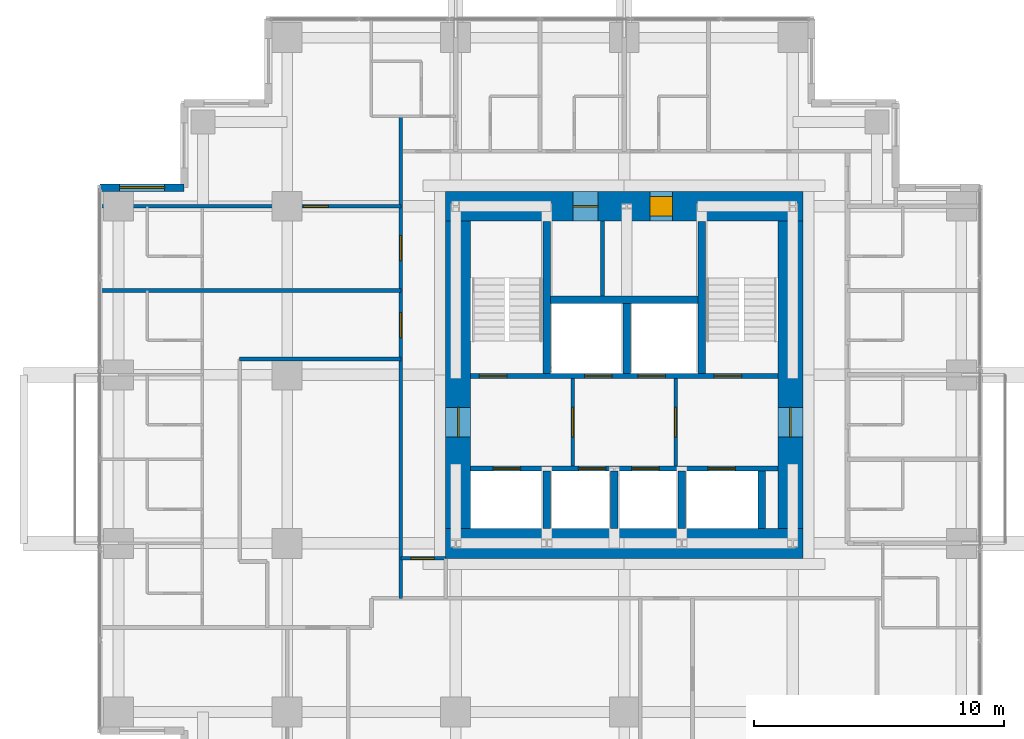
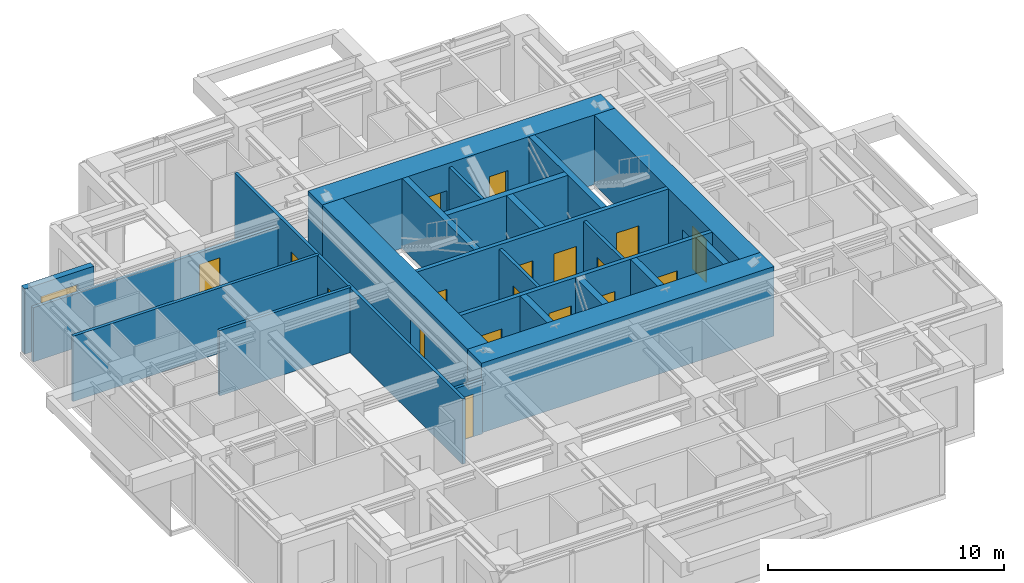
# One storey, part 7 of 10: 23 walls, 18 doors, 1 window, 19 openings.
"""IFC4 building model written with IfcOpenShell, lengths in metres."""

from ifc_helpers import new_model, si_unit, direction, frame, frame_2d, origin, place, context, subcontext, project, spatial, rectangle, extrude, material, layer, layer_set, type_object, element, fill, save


model = new_model("IFC4")

# Units and contexts
model_context = context("Model", 3, precision=1e-05, world=origin(), true_north=direction((0.0, 1.0)))
body_context = subcontext(model_context, "Body", "Model", "MODEL_VIEW")
ifc_project = project(units=[si_unit("LENGTHUNIT", "METRE"), si_unit("AREAUNIT", "SQUARE_METRE"), si_unit("VOLUMEUNIT", "CUBIC_METRE"), si_unit("PLANEANGLEUNIT", "RADIAN"), si_unit("MASSUNIT", "GRAM", prefix="KILO")], contexts=[model_context])

# Site, building, storey
site_placement = place(None, origin())
site = spatial("IfcSite", under=ifc_project, at=site_placement, CompositionType="ELEMENT")
building_placement = place(site_placement, origin())
building = spatial("IfcBuilding", under=site, at=building_placement, Name="Nyansa Garden Tower", CompositionType="ELEMENT")
storey_placement = place(building_placement, frame((0.0, 0.0, 181.800048828125)))
storey = spatial("IfcBuildingStorey", under=building, at=storey_placement, Name="L49", CompositionType="ELEMENT", Elevation=181.800048828125)

# Wall, openings, doors
ifc_material_1 = material(Name="Concrete C70/85", Category="concrete")
ifc_layer_1 = layer(ifc_material_1, 0.199951171875)
ifc_layer_set_1 = layer_set([ifc_layer_1], Name="Core inner wall CI200")
wall_type_1 = type_object("IfcWallType", Name="Core inner wall CI200", PredefinedType="SHEAR", material=ifc_layer_set_1)
wall_1_placement = place(storey_placement, frame((14.10009765625, 16.5, 0.0), z_axis=(0.0, 0.0, 1.0), x_axis=(1.0, 0.0, 0.0)))
wall_1 = element("IfcWall", 1, at=wall_1_placement, inside=storey, type_object=wall_type_1, Name="Core inner wall L49", PredefinedType="SHEAR", context=body_context, shape_type="SweptSolid", body=[
    extrude(rectangle(XDim=12.2998046875, YDim=0.199951171875, at=frame_2d((6.14990234375, 0.0))), origin(), (0.0, 0.0, 1.0), 3.599853515625),
])
opening_1_placement = place(wall_1_placement, frame((0.89990234375, 0.0, 0.0)))
opening_1 = element("IfcOpeningElement", 2, at=opening_1_placement, cuts=wall_1, Name="Opening LD-F", PredefinedType="OPENING", context=body_context, shape_type="SweptSolid", body=[
    extrude(rectangle(XDim=1.10009765625, YDim=2.199951171875, at=frame_2d((0.550048828125, 1.10009765625))), frame((0.0, 0.10986328125, 0.0), z_axis=(0.0, -1.0, 0.0), x_axis=(1.0, 0.0, 0.0)), (0.0, 0.0, 1.0), 0.219970703125),
])
opening_2_placement = place(wall_1_placement, frame((4.31005859375, 0.0, 0.0)))
opening_2 = element("IfcOpeningElement", 3, at=opening_2_placement, cuts=wall_1, Name="Opening LD-B", PredefinedType="OPENING", context=body_context, shape_type="SweptSolid", body=[
    extrude(rectangle(XDim=1.10009765625, YDim=2.199951171875, at=frame_2d((0.550048828125, 1.10009765625))), frame((0.0, 0.10986328125, 0.0), z_axis=(0.0, -1.0, 0.0), x_axis=(1.0, 0.0, 0.0)), (0.0, 0.0, 1.0), 0.219970703125),
])
opening_3_placement = place(wall_1_placement, frame((6.449951171875, 0.0, 0.0)))
opening_3 = element("IfcOpeningElement", 4, at=opening_3_placement, cuts=wall_1, Name="Opening LD-B", PredefinedType="OPENING", context=body_context, shape_type="SweptSolid", body=[
    extrude(rectangle(XDim=1.10009765625, YDim=2.199951171875, at=frame_2d((0.550048828125, 1.10009765625))), frame((0.0, 0.10986328125, 0.0), z_axis=(0.0, -1.0, 0.0), x_axis=(1.0, 0.0, 0.0)), (0.0, 0.0, 1.0), 0.219970703125),
])
opening_4_placement = place(wall_1_placement, frame((9.5, 0.0, 0.0)))
opening_4 = element("IfcOpeningElement", 5, at=opening_4_placement, cuts=wall_1, Name="Opening LD-F", PredefinedType="OPENING", context=body_context, shape_type="SweptSolid", body=[
    extrude(rectangle(XDim=1.10009765625, YDim=2.199951171875, at=frame_2d((0.550048828125, 1.10009765625))), frame((0.0, 0.10986328125, 0.0), z_axis=(0.0, -1.0, 0.0), x_axis=(1.0, 0.0, 0.0)), (0.0, 0.0, 1.0), 0.219970703125),
])
ifc_material_2 = material(Name="Stainless steel centre-opening landing door of the high-rise lift, E 120", Category="steel")
door_type_1 = type_object("IfcDoorType", Name="Lift landing door LD-B 1100x2200", OperationType="DOUBLE_DOOR_SLIDING", PredefinedType="DOOR", material=ifc_material_2)
door_1_placement = place(opening_2_placement, origin())
door_1 = element("IfcDoor", 6, at=door_1_placement, inside=storey, type_object=door_type_1, Name="Landing door B1", OperationType="DOUBLE_DOOR_SLIDING", OverallHeight=2.199951171875, OverallWidth=1.10009765625, PredefinedType="DOOR", context=body_context, shape_type="SweptSolid", body=[
    extrude(rectangle(XDim=1.10009765625, YDim=2.199951171875, at=frame_2d((0.550048828125, 1.10009765625))), frame((0.0, 0.02490234375, 0.0), z_axis=(0.0, -1.0, 0.0), x_axis=(1.0, 0.0, 0.0)), (0.0, 0.0, 1.0), 0.050048828125),
])
fill(opening_2, door_1)
door_2_placement = place(opening_3_placement, origin())
door_2 = element("IfcDoor", 7, at=door_2_placement, inside=storey, type_object=door_type_1, Name="Landing door B2", OperationType="DOUBLE_DOOR_SLIDING", OverallHeight=2.199951171875, OverallWidth=1.10009765625, PredefinedType="DOOR", context=body_context, shape_type="SweptSolid", body=[
    extrude(rectangle(XDim=1.10009765625, YDim=2.199951171875, at=frame_2d((0.550048828125, 1.10009765625))), frame((0.0, 0.02490234375, 0.0), z_axis=(0.0, -1.0, 0.0), x_axis=(1.0, 0.0, 0.0)), (0.0, 0.0, 1.0), 0.050048828125),
])
fill(opening_3, door_2)
ifc_material_3 = material(Name="Stainless steel centre-opening landing door of the firefighting lift, EN 81-72, E 120", Category="steel")
door_type_2 = type_object("IfcDoorType", Name="Lift landing door LD-F 1100x2200", OperationType="DOUBLE_DOOR_SLIDING", PredefinedType="DOOR", material=ifc_material_3)
door_3_placement = place(opening_1_placement, origin())
door_3 = element("IfcDoor", 8, at=door_3_placement, inside=storey, type_object=door_type_2, Name="Landing door FF1", OperationType="DOUBLE_DOOR_SLIDING", OverallHeight=2.199951171875, OverallWidth=1.10009765625, PredefinedType="DOOR", context=body_context, shape_type="SweptSolid", body=[
    extrude(rectangle(XDim=1.10009765625, YDim=2.199951171875, at=frame_2d((0.550048828125, 1.10009765625))), frame((0.0, 0.02490234375, 0.0), z_axis=(0.0, -1.0, 0.0), x_axis=(1.0, 0.0, 0.0)), (0.0, 0.0, 1.0), 0.050048828125),
])
fill(opening_1, door_3)
door_4_placement = place(opening_4_placement, origin())
door_4 = element("IfcDoor", 9, at=door_4_placement, inside=storey, type_object=door_type_2, Name="Landing door FF2", OperationType="DOUBLE_DOOR_SLIDING", OverallHeight=2.199951171875, OverallWidth=1.10009765625, PredefinedType="DOOR", context=body_context, shape_type="SweptSolid", body=[
    extrude(rectangle(XDim=1.10009765625, YDim=2.199951171875, at=frame_2d((0.550048828125, 1.10009765625))), frame((0.0, 0.02490234375, 0.0), z_axis=(0.0, -1.0, 0.0), x_axis=(1.0, 0.0, 0.0)), (0.0, 0.0, 1.0), 0.050048828125),
])
fill(opening_4, door_4)

wall_2_placement = place(storey_placement, frame((14.10009765625, 20.199951171875, 0.0), z_axis=(0.0, 0.0, 1.0), x_axis=(1.0, 0.0, 0.0)))
wall_2 = element("IfcWall", 10, at=wall_2_placement, inside=storey, type_object=wall_type_1, Name="Core inner wall L49", PredefinedType="SHEAR", context=body_context, shape_type="SweptSolid", body=[
    extrude(rectangle(XDim=12.2998046875, YDim=0.199951171875, at=frame_2d((6.14990234375, 0.0))), origin(), (0.0, 0.0, 1.0), 3.599853515625),
])
opening_5_placement = place(wall_2_placement, frame((4.56005859375, 0.0, 0.0)))
opening_5 = element("IfcOpeningElement", 11, at=opening_5_placement, cuts=wall_2, Name="Opening LD-B", PredefinedType="OPENING", context=body_context, shape_type="SweptSolid", body=[
    extrude(rectangle(XDim=1.10009765625, YDim=2.199951171875, at=frame_2d((0.550048828125, 1.10009765625))), frame((0.0, 0.10986328125, 0.0), z_axis=(0.0, -1.0, 0.0), x_axis=(1.0, 0.0, 0.0)), (0.0, 0.0, 1.0), 0.219970703125),
])
opening_6_placement = place(wall_2_placement, frame((6.699951171875, 0.0, 0.0)))
opening_6 = element("IfcOpeningElement", 12, at=opening_6_placement, cuts=wall_2, Name="Opening LD-B", PredefinedType="OPENING", context=body_context, shape_type="SweptSolid", body=[
    extrude(rectangle(XDim=1.10009765625, YDim=2.199951171875, at=frame_2d((0.550048828125, 1.10009765625))), frame((0.0, 0.10986328125, 0.0), z_axis=(0.0, -1.0, 0.0), x_axis=(1.0, 0.0, 0.0)), (0.0, 0.0, 1.0), 0.219970703125),
])
opening_7_placement = place(wall_2_placement, frame((0.35009765625, 0.0, 0.0)))
opening_7 = element("IfcOpeningElement", 13, at=opening_7_placement, cuts=wall_2, Name="Opening D05", PredefinedType="OPENING", context=body_context, shape_type="SweptSolid", body=[
    extrude(rectangle(XDim=1.10009765625, YDim=2.199951171875, at=frame_2d((0.550048828125, 1.10009765625))), frame((0.0, 0.10986328125, 0.0), z_axis=(0.0, -1.0, 0.0), x_axis=(1.0, 0.0, 0.0)), (0.0, 0.0, 1.0), 0.219970703125),
])
opening_8_placement = place(wall_2_placement, frame((9.75, 0.0, 0.0)))
opening_8 = element("IfcOpeningElement", 14, at=opening_8_placement, cuts=wall_2, Name="Opening D05", PredefinedType="OPENING", context=body_context, shape_type="SweptSolid", body=[
    extrude(rectangle(XDim=1.10009765625, YDim=2.199951171875, at=frame_2d((0.550048828125, 1.10009765625))), frame((0.0, 0.10986328125, 0.0), z_axis=(0.0, -1.0, 0.0), x_axis=(1.0, 0.0, 0.0)), (0.0, 0.0, 1.0), 0.219970703125),
])
door_5_placement = place(opening_5_placement, origin())
door_5 = element("IfcDoor", 15, at=door_5_placement, inside=storey, type_object=door_type_1, Name="Landing door B3", OperationType="DOUBLE_DOOR_SLIDING", OverallHeight=2.199951171875, OverallWidth=1.10009765625, PredefinedType="DOOR", context=body_context, shape_type="SweptSolid", body=[
    extrude(rectangle(XDim=1.10009765625, YDim=2.199951171875, at=frame_2d((0.550048828125, 1.10009765625))), frame((0.0, 0.02490234375, 0.0), z_axis=(0.0, -1.0, 0.0), x_axis=(1.0, 0.0, 0.0)), (0.0, 0.0, 1.0), 0.050048828125),
])
fill(opening_5, door_5)
door_6_placement = place(opening_6_placement, origin())
door_6 = element("IfcDoor", 16, at=door_6_placement, inside=storey, type_object=door_type_1, Name="Landing door B4", OperationType="DOUBLE_DOOR_SLIDING", OverallHeight=2.199951171875, OverallWidth=1.10009765625, PredefinedType="DOOR", context=body_context, shape_type="SweptSolid", body=[
    extrude(rectangle(XDim=1.10009765625, YDim=2.199951171875, at=frame_2d((0.550048828125, 1.10009765625))), frame((0.0, 0.02490234375, 0.0), z_axis=(0.0, -1.0, 0.0), x_axis=(1.0, 0.0, 0.0)), (0.0, 0.0, 1.0), 0.050048828125),
])
fill(opening_6, door_6)
ifc_material_4 = material(Name="Steel door, 120 minute fire resisting", Category="steel")
door_type_3 = type_object("IfcDoorType", Name="Stair door D05 1100x2200", OperationType="SINGLE_SWING_LEFT", PredefinedType="DOOR", material=ifc_material_4)
door_7_placement = place(opening_7_placement, origin())
door_7 = element("IfcDoor", 17, at=door_7_placement, inside=storey, type_object=door_type_3, Name="Stair S1 door", OperationType="SINGLE_SWING_LEFT", OverallHeight=2.199951171875, OverallWidth=1.10009765625, PredefinedType="DOOR", context=body_context, shape_type="SweptSolid", body=[
    extrude(rectangle(XDim=1.10009765625, YDim=2.199951171875, at=frame_2d((0.550048828125, 1.10009765625))), frame((0.0, 0.02490234375, 0.0), z_axis=(0.0, -1.0, 0.0), x_axis=(1.0, 0.0, 0.0)), (0.0, 0.0, 1.0), 0.050048828125),
])
fill(opening_7, door_7)
door_8_placement = place(opening_8_placement, origin())
door_8 = element("IfcDoor", 18, at=door_8_placement, inside=storey, type_object=door_type_3, Name="Stair S2 door", OperationType="SINGLE_SWING_LEFT", OverallHeight=2.199951171875, OverallWidth=1.10009765625, PredefinedType="DOOR", context=body_context, shape_type="SweptSolid", body=[
    extrude(rectangle(XDim=1.10009765625, YDim=2.199951171875, at=frame_2d((0.550048828125, 1.10009765625))), frame((0.0, 0.02490234375, 0.0), z_axis=(0.0, -1.0, 0.0), x_axis=(1.0, 0.0, 0.0)), (0.0, 0.0, 1.0), 0.050048828125),
])
fill(opening_8, door_8)

# Walls
ifc_material_5 = material(Name="Concrete C70/85", Category="concrete")
ifc_layer_2 = layer(ifc_material_5, 0.300048828125)
ifc_layer_set_2 = layer_set([ifc_layer_2], Name="Core inner wall CI300")
wall_type_2 = type_object("IfcWallType", Name="Core inner wall CI300", PredefinedType="SHEAR", material=ifc_layer_set_2)
for number, where, z_axis, x_axis, name in (
    (19, (17.14990234375, 20.300048828125, 0.0), (0.0, 0.0, 1.0), (0.0, 1.0, 0.0), "Core inner wall L49"),
    (20, (23.35009765625, 20.300048828125, 0.0), (0.0, 0.0, 1.0), (0.0, 1.0, 0.0), "Core inner wall L49"),
):
    element("IfcWall", number, at=place(storey_placement, frame(where, z_axis=z_axis, x_axis=x_axis)), inside=storey, type_object=wall_type_2, Name=name, PredefinedType="SHEAR", context=body_context, shape_type="SweptSolid", body=[
        extrude(rectangle(XDim=6.099853515625, YDim=0.300048828125, at=frame_2d((3.0498046875, 0.0))), origin(), (0.0, 0.0, 1.0), 3.599853515625),
    ])
wall_3_placement = place(storey_placement, frame((20.35009765625, 20.300048828125, 0.0), z_axis=(0.0, 0.0, 1.0), x_axis=(0.0, 1.0, 0.0)))
element("IfcWall", 21, at=wall_3_placement, inside=storey, type_object=wall_type_2, Name="Core inner wall L49", PredefinedType="SHEAR", context=body_context, shape_type="SweptSolid", body=[
    extrude(rectangle(XDim=2.800048828125, YDim=0.300048828125, at=frame_2d((1.39990234375, 0.0))), origin(), (0.0, 0.0, 1.0), 3.599853515625),
])
wall_4_placement = place(storey_placement, frame((17.300048828125, 23.25, 0.0), z_axis=(0.0, 0.0, 1.0), x_axis=(1.0, 0.0, 0.0)))
element("IfcWall", 22, at=wall_4_placement, inside=storey, type_object=wall_type_2, Name="Core inner wall L49", PredefinedType="SHEAR", context=body_context, shape_type="SweptSolid", body=[
    extrude(rectangle(XDim=5.89990234375, YDim=0.300048828125, at=frame_2d((2.949951171875, 0.0))), origin(), (0.0, 0.0, 1.0), 3.599853515625),
])
for number, where, z_axis, x_axis, name in (
    (23, (17.14990234375, 14.10009765625, 0.0), (0.0, 0.0, 1.0), (0.0, 1.0, 0.0), "Core inner wall L49"),
    (24, (19.85009765625, 14.10009765625, 0.0), (0.0, 0.0, 1.0), (0.0, 1.0, 0.0), "Core inner wall L49"),
    (25, (22.550048828125, 14.10009765625, 0.0), (0.0, 0.0, 1.0), (0.0, 1.0, 0.0), "Core inner wall L49"),
    (26, (25.75, 14.10009765625, 0.0), (0.0, 0.0, 1.0), (0.0, 1.0, 0.0), "Core inner wall L49"),
):
    element("IfcWall", number, at=place(storey_placement, frame(where, z_axis=z_axis, x_axis=x_axis)), inside=storey, type_object=wall_type_2, Name=name, PredefinedType="SHEAR", context=body_context, shape_type="SweptSolid", body=[
        extrude(rectangle(XDim=2.2998046875, YDim=0.300048828125, at=frame_2d((1.14990234375, 0.0))), origin(), (0.0, 0.0, 1.0), 3.599853515625),
    ])

# Wall, opening, door
ifc_material_6 = material(Name="Concrete C80/95", Category="concrete")
ifc_layer_3 = layer(ifc_material_6, 1.0)
ifc_layer_set_3 = layer_set([ifc_layer_3], Name="Core wall CW1000")
wall_type_3 = type_object("IfcWallType", Name="Core wall CW1000", PredefinedType="SHEAR", material=ifc_layer_set_3)
wall_5_placement = place(storey_placement, frame((26.89990234375, 14.10009765625, 0.0), z_axis=(0.0, 0.0, 1.0), x_axis=(0.0, 1.0, 0.0)))
wall_5 = element("IfcWall", 27, at=wall_5_placement, inside=storey, type_object=wall_type_3, Name="Core wall E L49", PredefinedType="SHEAR", context=body_context, shape_type="SweptSolid", body=[
    extrude(rectangle(XDim=12.2998046875, YDim=1.0, at=frame_2d((6.14990234375, 0.0))), origin(), (0.0, 0.0, 1.0), 3.599853515625),
])
opening_9_placement = place(wall_5_placement, frame((3.64990234375, 0.0, 0.0)))
opening_9 = element("IfcOpeningElement", 28, at=opening_9_placement, cuts=wall_5, Name="Opening D06", PredefinedType="OPENING", context=body_context, shape_type="SweptSolid", body=[
    extrude(rectangle(XDim=1.199951171875, YDim=2.199951171875, at=frame_2d((0.60009765625, 1.10009765625))), frame((0.0, 0.510009765625, 0.0), z_axis=(0.0, -1.0, 0.0), x_axis=(1.0, 0.0, 0.0)), (0.0, 0.0, 1.0), 1.02001953125),
])
ifc_material_7 = material(Name="Steel door, 120 minute fire resisting", Category="steel")
door_type_4 = type_object("IfcDoorType", Name="Lobby door D06 1200x2200", OperationType="DOUBLE_DOOR_SINGLE_SWING", PredefinedType="DOOR", material=ifc_material_7)
door_9_placement = place(opening_9_placement, origin())
door_9 = element("IfcDoor", 29, at=door_9_placement, inside=storey, type_object=door_type_4, Name="Lift lobby door east", OperationType="DOUBLE_DOOR_SINGLE_SWING", OverallHeight=2.199951171875, OverallWidth=1.199951171875, PredefinedType="DOOR", context=body_context, shape_type="SweptSolid", body=[
    extrude(rectangle(XDim=1.199951171875, YDim=2.199951171875, at=frame_2d((0.60009765625, 1.10009765625))), frame((0.0, 0.02490234375, 0.0), z_axis=(0.0, -1.0, 0.0), x_axis=(1.0, 0.0, 0.0)), (0.0, 0.0, 1.0), 0.050048828125),
])
fill(opening_9, door_9)

wall_6_placement = place(storey_placement, frame((13.60009765625, 26.39990234375, 0.0), z_axis=(0.0, 0.0, 1.0), x_axis=(0.0, -1.0, 0.0)))
wall_6 = element("IfcWall", 30, at=wall_6_placement, inside=storey, type_object=wall_type_3, Name="Core wall W L49", PredefinedType="SHEAR", context=body_context, shape_type="SweptSolid", body=[
    extrude(rectangle(XDim=12.2998046875, YDim=1.0, at=frame_2d((6.14990234375, 0.0))), origin(), (0.0, 0.0, 1.0), 3.599853515625),
])
opening_10_placement = place(wall_6_placement, frame((7.449951171875, 0.0, 0.0)))
opening_10 = element("IfcOpeningElement", 31, at=opening_10_placement, cuts=wall_6, Name="Opening D06", PredefinedType="OPENING", context=body_context, shape_type="SweptSolid", body=[
    extrude(rectangle(XDim=1.199951171875, YDim=2.199951171875, at=frame_2d((0.60009765625, 1.10009765625))), frame((0.0, 0.510009765625, 0.0), z_axis=(0.0, -1.0, 0.0), x_axis=(1.0, 0.0, 0.0)), (0.0, 0.0, 1.0), 1.02001953125),
])
door_10_placement = place(opening_10_placement, origin())
door_10 = element("IfcDoor", 32, at=door_10_placement, inside=storey, type_object=door_type_4, Name="Lift lobby door west", OperationType="DOUBLE_DOOR_SINGLE_SWING", OverallHeight=2.199951171875, OverallWidth=1.199951171875, PredefinedType="DOOR", context=body_context, shape_type="SweptSolid", body=[
    extrude(rectangle(XDim=1.199951171875, YDim=2.199951171875, at=frame_2d((0.60009765625, 1.10009765625))), frame((0.0, 0.02490234375, 0.0), z_axis=(0.0, -1.0, 0.0), x_axis=(1.0, 0.0, 0.0)), (0.0, 0.0, 1.0), 0.050048828125),
])
fill(opening_10, door_10)

# Wall
ifc_material_8 = material(Name="Concrete C80/95", Category="concrete")
ifc_layer_4 = layer(ifc_material_8, 1.199951171875)
ifc_layer_set_4 = layer_set([ifc_layer_4], Name="Core wall CW1200")
wall_type_4 = type_object("IfcWallType", Name="Core wall CW1200", PredefinedType="SHEAR", material=ifc_layer_set_4)
wall_7_placement = place(storey_placement, frame((13.10009765625, 13.5, 0.0), z_axis=(0.0, 0.0, 1.0), x_axis=(1.0, 0.0, 0.0)))
element("IfcWall", 33, at=wall_7_placement, inside=storey, type_object=wall_type_4, Name="Core wall S L49", PredefinedType="SHEAR", context=body_context, shape_type="SweptSolid", body=[
    extrude(rectangle(XDim=14.2998046875, YDim=1.199951171875, at=frame_2d((7.14990234375, 0.0))), origin(), (0.0, 0.0, 1.0), 3.599853515625),
])

# Wall, openings, doors
wall_8_placement = place(storey_placement, frame((27.39990234375, 27.0, 0.0), z_axis=(0.0, 0.0, 1.0), x_axis=(-1.0, 0.0, 0.0)))
wall_8 = element("IfcWall", 34, at=wall_8_placement, inside=storey, type_object=wall_type_4, Name="Core wall N L49", PredefinedType="SHEAR", context=body_context, shape_type="SweptSolid", body=[
    extrude(rectangle(XDim=14.2998046875, YDim=1.199951171875, at=frame_2d((7.14990234375, 0.0))), origin(), (0.0, 0.0, 1.0), 3.599853515625),
])
opening_11_placement = place(wall_8_placement, frame((5.22509765625, 0.0, 0.0)))
opening_11 = element("IfcOpeningElement", 35, at=opening_11_placement, cuts=wall_8, Name="Opening D15", PredefinedType="OPENING", context=body_context, shape_type="SweptSolid", body=[
    extrude(rectangle(XDim=0.89990234375, YDim=2.199951171875, at=frame_2d((0.449951171875, 1.10009765625))), frame((0.0, 0.60986328125, 0.0), z_axis=(0.0, -1.0, 0.0), x_axis=(1.0, 0.0, 0.0)), (0.0, 0.0, 1.0), 1.219970703125),
])
opening_12_placement = place(wall_8_placement, frame((8.199951171875, 0.0, 0.0)))
opening_12 = element("IfcOpeningElement", 36, at=opening_12_placement, cuts=wall_8, Name="Opening D07", PredefinedType="OPENING", context=body_context, shape_type="SweptSolid", body=[
    extrude(rectangle(XDim=1.0, YDim=2.199951171875, at=frame_2d((0.5, 1.10009765625))), frame((0.0, 0.60986328125, 0.0), z_axis=(0.0, -1.0, 0.0), x_axis=(1.0, 0.0, 0.0)), (0.0, 0.0, 1.0), 1.219970703125),
])
ifc_material_9 = material(Name="Timber flush door, 60 minute fire resisting, self-closing", Category="wood")
door_type_5 = type_object("IfcDoorType", Name="Core room door D15 900x2200", OperationType="SINGLE_SWING_LEFT", PredefinedType="DOOR", material=ifc_material_9)
door_11_placement = place(opening_11_placement, origin())
door_11 = element("IfcDoor", 37, at=door_11_placement, inside=storey, type_object=door_type_5, Name="Core room door", OperationType="SINGLE_SWING_LEFT", OverallHeight=2.199951171875, OverallWidth=0.89990234375, PredefinedType="DOOR", context=body_context, shape_type="SweptSolid", body=[
    extrude(rectangle(XDim=0.89990234375, YDim=2.199951171875, at=frame_2d((0.449951171875, 1.10009765625))), frame((0.0, 0.39990234375, 0.0), z_axis=(0.0, -1.0, 0.0), x_axis=(1.0, 0.0, 0.0)), (0.0, 0.0, 1.0), 0.800048828125),
])
fill(opening_11, door_11)
ifc_material_10 = material(Name="Steel door, 120 minute fire resisting", Category="steel")
door_type_6 = type_object("IfcDoorType", Name="Riser door D07 1000x2200", OperationType="SINGLE_SWING_LEFT", PredefinedType="DOOR", material=ifc_material_10)
door_12_placement = place(opening_12_placement, origin())
door_12 = element("IfcDoor", 38, at=door_12_placement, inside=storey, type_object=door_type_6, Name="Riser and refuse room door", OperationType="SINGLE_SWING_LEFT", OverallHeight=2.199951171875, OverallWidth=1.0, PredefinedType="DOOR", context=body_context, shape_type="SweptSolid", body=[
    extrude(rectangle(XDim=1.0, YDim=2.199951171875, at=frame_2d((0.5, 1.10009765625))), frame((0.0, 0.02490234375, 0.0), z_axis=(0.0, -1.0, 0.0), x_axis=(1.0, 0.0, 0.0)), (0.0, 0.0, 1.0), 0.050048828125),
])
fill(opening_12, door_12)

# Wall, opening, door
ifc_material_11 = material(Name="Blockwork, plastered both sides", Category="masonry")
ifc_layer_5 = layer(ifc_material_11, 0.14990234375)
ifc_layer_set_5 = layer_set([ifc_layer_5], Name="Partition PW150")
wall_type_5 = type_object("IfcWallType", Name="Partition PW150", PredefinedType="PARTITIONING", material=ifc_layer_set_5)
wall_9_placement = place(storey_placement, frame((18.18505859375, 16.60009765625, 0.0), z_axis=(0.0, 0.0, 1.0), x_axis=(0.0, 1.0, 0.0)))
wall_9 = element("IfcWall", 39, at=wall_9_placement, inside=storey, type_object=wall_type_5, Name="Partition", PredefinedType="PARTITIONING", context=body_context, shape_type="SweptSolid", body=[
    extrude(rectangle(XDim=3.5, YDim=0.14990234375, at=frame_2d((1.75, 0.0))), origin(), (0.0, 0.0, 1.0), 3.375),
])
opening_13_placement = place(wall_9_placement, frame((1.14990234375, 0.0, 0.0)))
opening_13 = element("IfcOpeningElement", 40, at=opening_13_placement, cuts=wall_9, Name="Opening D06", PredefinedType="OPENING", context=body_context, shape_type="SweptSolid", body=[
    extrude(rectangle(XDim=1.199951171875, YDim=2.199951171875, at=frame_2d((0.60009765625, 1.10009765625))), frame((0.0, 0.0849609375, 0.0), z_axis=(0.0, -1.0, 0.0), x_axis=(1.0, 0.0, 0.0)), (0.0, 0.0, 1.0), 0.169921875),
])
door_13_placement = place(opening_13_placement, origin())
door_13 = element("IfcDoor", 41, at=door_13_placement, inside=storey, type_object=door_type_4, Name="Passenger lift lobby door", OperationType="DOUBLE_DOOR_SINGLE_SWING", OverallHeight=2.199951171875, OverallWidth=1.199951171875, PredefinedType="DOOR", context=body_context, shape_type="SweptSolid", body=[
    extrude(rectangle(XDim=1.199951171875, YDim=2.199951171875, at=frame_2d((0.60009765625, 1.10009765625))), frame((0.0, 0.02490234375, 0.0), z_axis=(0.0, -1.0, 0.0), x_axis=(1.0, 0.0, 0.0)), (0.0, 0.0, 1.0), 0.050048828125),
])
fill(opening_13, door_13)

wall_10_placement = place(storey_placement, frame((22.31494140625, 16.60009765625, 0.0), z_axis=(0.0, 0.0, 1.0), x_axis=(0.0, 1.0, 0.0)))
wall_10 = element("IfcWall", 42, at=wall_10_placement, inside=storey, type_object=wall_type_5, Name="Partition", PredefinedType="PARTITIONING", context=body_context, shape_type="SweptSolid", body=[
    extrude(rectangle(XDim=3.5, YDim=0.14990234375, at=frame_2d((1.75, 0.0))), origin(), (0.0, 0.0, 1.0), 3.375),
])
opening_14_placement = place(wall_10_placement, frame((1.14990234375, 0.0, 0.0)))
opening_14 = element("IfcOpeningElement", 43, at=opening_14_placement, cuts=wall_10, Name="Opening D06", PredefinedType="OPENING", context=body_context, shape_type="SweptSolid", body=[
    extrude(rectangle(XDim=1.199951171875, YDim=2.199951171875, at=frame_2d((0.60009765625, 1.10009765625))), frame((0.0, 0.0849609375, 0.0), z_axis=(0.0, -1.0, 0.0), x_axis=(1.0, 0.0, 0.0)), (0.0, 0.0, 1.0), 0.169921875),
])
door_14_placement = place(opening_14_placement, origin())
door_14 = element("IfcDoor", 44, at=door_14_placement, inside=storey, type_object=door_type_4, Name="Passenger lift lobby door", OperationType="DOUBLE_DOOR_SINGLE_SWING", OverallHeight=2.199951171875, OverallWidth=1.199951171875, PredefinedType="DOOR", context=body_context, shape_type="SweptSolid", body=[
    extrude(rectangle(XDim=1.199951171875, YDim=2.199951171875, at=frame_2d((0.60009765625, 1.10009765625))), frame((0.0, 0.02490234375, 0.0), z_axis=(0.0, -1.0, 0.0), x_axis=(1.0, 0.0, 0.0)), (0.0, 0.0, 1.0), 0.050048828125),
])
fill(opening_14, door_14)

# Walls
wall_11_placement = place(storey_placement, frame((19.375, 23.39990234375, 0.0), z_axis=(0.0, 0.0, 1.0), x_axis=(0.0, 1.0, 0.0)))
element("IfcWall", 45, at=wall_11_placement, inside=storey, type_object=wall_type_5, Name="Partition", PredefinedType="PARTITIONING", context=body_context, shape_type="SweptSolid", body=[
    extrude(rectangle(XDim=3.0, YDim=0.14990234375, at=frame_2d((1.5, 0.0))), origin(), (0.0, 0.0, 1.0), 3.375),
])
wall_12_placement = place(storey_placement, frame((-0.73388671875, 23.625, 0.0), z_axis=(0.0, 0.0, 1.0), x_axis=(1.0, 0.0, 0.0)))
element("IfcWall", 46, at=wall_12_placement, inside=storey, type_object=wall_type_5, Name="Partition", PredefinedType="PARTITIONING", context=body_context, shape_type="SweptSolid", body=[
    extrude(rectangle(XDim=12.033935546875, YDim=0.14990234375, at=frame_2d((6.01708984375, 0.0))), origin(), (0.0, 0.0, 1.0), 3.375),
])

# Wall, opening, door
wall_13_placement = place(storey_placement, frame((-0.73388671875, 27.0, 0.0), z_axis=(0.0, 0.0, 1.0), x_axis=(1.0, 0.0, 0.0)))
wall_13 = element("IfcWall", 47, at=wall_13_placement, inside=storey, type_object=wall_type_5, Name="Partition", PredefinedType="PARTITIONING", context=body_context, shape_type="SweptSolid", body=[
    extrude(rectangle(XDim=12.033935546875, YDim=0.14990234375, at=frame_2d((6.01708984375, 0.0))), origin(), (0.0, 0.0, 1.0), 2.805908203125),
])
opening_15_placement = place(wall_13_placement, frame((8.134033203125, 0.0, 0.0)))
opening_15 = element("IfcOpeningElement", 48, at=opening_15_placement, cuts=wall_13, Name="Opening D03", PredefinedType="OPENING", context=body_context, shape_type="SweptSolid", body=[
    extrude(rectangle(XDim=1.0, YDim=2.199951171875, at=frame_2d((0.5, 1.10009765625))), frame((0.0, 0.0849609375, 0.0), z_axis=(0.0, -1.0, 0.0), x_axis=(1.0, 0.0, 0.0)), (0.0, 0.0, 1.0), 0.169921875),
])
ifc_material_12 = material(Name="Timber flush door, 60 minute fire resisting", Category="wood")
door_type_7 = type_object("IfcDoorType", Name="Cluster entrance door D03 1000x2200", OperationType="SINGLE_SWING_LEFT", PredefinedType="DOOR", material=ifc_material_12)
door_15_placement = place(opening_15_placement, origin())
door_15 = element("IfcDoor", 49, at=door_15_placement, inside=storey, type_object=door_type_7, Name="Door L49-049", OperationType="SINGLE_SWING_LEFT", OverallHeight=2.199951171875, OverallWidth=1.0, PredefinedType="DOOR", context=body_context, shape_type="SweptSolid", body=[
    extrude(rectangle(XDim=1.0, YDim=2.199951171875, at=frame_2d((0.5, 1.10009765625))), frame((0.0, 0.02490234375, 0.0), z_axis=(0.0, -1.0, 0.0), x_axis=(1.0, 0.0, 0.0)), (0.0, 0.0, 1.0), 0.050048828125),
])
fill(opening_15, door_15)

# Wall
wall_14_placement = place(storey_placement, frame((4.85009765625, 20.886962890625, 0.0), z_axis=(0.0, 0.0, 1.0), x_axis=(1.0, 0.0, 0.0)))
element("IfcWall", 50, at=wall_14_placement, inside=storey, type_object=wall_type_5, Name="Partition", PredefinedType="PARTITIONING", context=body_context, shape_type="SweptSolid", body=[
    extrude(rectangle(XDim=6.449951171875, YDim=0.14990234375, at=frame_2d((3.22509765625, 0.0))), origin(), (0.0, 0.0, 1.0), 3.375),
])

# Wall, openings, doors
wall_15_placement = place(storey_placement, frame((11.300048828125, 11.300048828125, 0.0), z_axis=(0.0, 0.0, 1.0), x_axis=(0.0, 1.0, 0.0)))
wall_15 = element("IfcWall", 51, at=wall_15_placement, inside=storey, type_object=wall_type_5, Name="Partition", PredefinedType="PARTITIONING", context=body_context, shape_type="SweptSolid", body=[
    extrude(rectangle(XDim=19.300048828125, YDim=0.14990234375, at=frame_2d((9.64990234375, 0.0))), origin(), (0.0, 0.0, 1.0), 3.375),
])
opening_16_placement = place(wall_15_placement, frame((13.52490234375, 0.0, 0.0)))
opening_16 = element("IfcOpeningElement", 52, at=opening_16_placement, cuts=wall_15, Name="Opening D03", PredefinedType="OPENING", context=body_context, shape_type="SweptSolid", body=[
    extrude(rectangle(XDim=1.0, YDim=2.199951171875, at=frame_2d((0.5, 1.10009765625))), frame((0.0, 0.0849609375, 0.0), z_axis=(0.0, -1.0, 0.0), x_axis=(1.0, 0.0, 0.0)), (0.0, 0.0, 1.0), 0.169921875),
])
opening_17_placement = place(wall_15_placement, frame((10.4375, 0.0, 0.0)))
opening_17 = element("IfcOpeningElement", 53, at=opening_17_placement, cuts=wall_15, Name="Opening D03", PredefinedType="OPENING", context=body_context, shape_type="SweptSolid", body=[
    extrude(rectangle(XDim=1.0, YDim=2.199951171875, at=frame_2d((0.5, 1.10009765625))), frame((0.0, 0.0849609375, 0.0), z_axis=(0.0, -1.0, 0.0), x_axis=(1.0, 0.0, 0.0)), (0.0, 0.0, 1.0), 0.169921875),
])
door_16_placement = place(opening_16_placement, origin())
door_16 = element("IfcDoor", 54, at=door_16_placement, inside=storey, type_object=door_type_7, Name="Door L49-052", OperationType="SINGLE_SWING_LEFT", OverallHeight=2.199951171875, OverallWidth=1.0, PredefinedType="DOOR", context=body_context, shape_type="SweptSolid", body=[
    extrude(rectangle(XDim=1.0, YDim=2.199951171875, at=frame_2d((0.5, 1.10009765625))), frame((0.0, 0.02490234375, 0.0), z_axis=(0.0, -1.0, 0.0), x_axis=(1.0, 0.0, 0.0)), (0.0, 0.0, 1.0), 0.050048828125),
])
fill(opening_16, door_16)
door_17_placement = place(opening_17_placement, origin())
door_17 = element("IfcDoor", 55, at=door_17_placement, inside=storey, type_object=door_type_7, Name="Door L49-061", OperationType="SINGLE_SWING_LEFT", OverallHeight=2.199951171875, OverallWidth=1.0, PredefinedType="DOOR", context=body_context, shape_type="SweptSolid", body=[
    extrude(rectangle(XDim=1.0, YDim=2.199951171875, at=frame_2d((0.5, 1.10009765625))), frame((0.0, 0.02490234375, 0.0), z_axis=(0.0, -1.0, 0.0), x_axis=(1.0, 0.0, 0.0)), (0.0, 0.0, 1.0), 0.050048828125),
])
fill(opening_17, door_17)

# Wall, opening, door
wall_16_placement = place(storey_placement, frame((11.300048828125, 12.89990234375, 0.0), z_axis=(0.0, 0.0, 1.0), x_axis=(1.0, 0.0, 0.0)))
wall_16 = element("IfcWall", 56, at=wall_16_placement, inside=storey, type_object=wall_type_5, Name="Partition", PredefinedType="PARTITIONING", context=body_context, shape_type="SweptSolid", body=[
    extrude(rectangle(XDim=1.800048828125, YDim=0.14990234375, at=frame_2d((0.89990234375, 0.0))), origin(), (0.0, 0.0, 1.0), 2.805908203125),
])
opening_18_placement = place(wall_16_placement, frame((0.39990234375, 0.0, 0.0)))
opening_18 = element("IfcOpeningElement", 57, at=opening_18_placement, cuts=wall_16, Name="Opening D01", PredefinedType="OPENING", context=body_context, shape_type="SweptSolid", body=[
    extrude(rectangle(XDim=0.949951171875, YDim=2.199951171875, at=frame_2d((0.47509765625, 1.10009765625))), frame((0.0, 0.0849609375, 0.0), z_axis=(0.0, -1.0, 0.0), x_axis=(1.0, 0.0, 0.0)), (0.0, 0.0, 1.0), 0.169921875),
])
ifc_material_13 = material(Name="Timber flush door, 30 minute fire resisting", Category="wood")
door_type_8 = type_object("IfcDoorType", Name="Bedroom door D01 950x2200", OperationType="SINGLE_SWING_LEFT", PredefinedType="DOOR", material=ifc_material_13)
door_18_placement = place(opening_18_placement, origin())
door_18 = element("IfcDoor", 58, at=door_18_placement, inside=storey, type_object=door_type_8, Name="Door L49-016", OperationType="SINGLE_SWING_LEFT", OverallHeight=2.199951171875, OverallWidth=0.949951171875, PredefinedType="DOOR", context=body_context, shape_type="SweptSolid", body=[
    extrude(rectangle(XDim=0.949951171875, YDim=2.199951171875, at=frame_2d((0.47509765625, 1.10009765625))), frame((0.0, 0.02490234375, 0.0), z_axis=(0.0, -1.0, 0.0), x_axis=(1.0, 0.0, 0.0)), (0.0, 0.0, 1.0), 0.050048828125),
])
fill(opening_18, door_18)

# Wall, opening, window
ifc_material_14 = material(Name="Turquoise glazed tile on concrete blockwork", Category="masonry")
ifc_layer_6 = layer(ifc_material_14, 0.300048828125)
ifc_layer_set_6 = layer_set([ifc_layer_6], Name="Tiled corner wall TW300")
wall_type_6 = type_object("IfcWallType", Name="Tiled corner wall TW300", PredefinedType="SOLIDWALL", material=ifc_layer_set_6)
wall_17_placement = place(storey_placement, frame((2.625, 27.75, 0.0), z_axis=(0.0, 0.0, 1.0), x_axis=(-1.0, 0.0, 0.0)))
wall_17 = element("IfcWall", 59, at=wall_17_placement, inside=storey, type_object=wall_type_6, Name="Tiled corner wall L49", PredefinedType="SOLIDWALL", context=body_context, shape_type="SweptSolid", body=[
    extrude(rectangle(XDim=3.375, YDim=0.300048828125, at=frame_2d((1.6875, 0.0))), origin(), (0.0, 0.0, 1.0), 3.375),
])
opening_19_placement = place(wall_17_placement, frame((0.78759765625, 0.0, 0.60009765625)))
opening_19 = element("IfcOpeningElement", 60, at=opening_19_placement, cuts=wall_17, Name="Opening W2", PredefinedType="OPENING", context=body_context, shape_type="SweptSolid", body=[
    extrude(rectangle(XDim=1.800048828125, YDim=2.10009765625, at=frame_2d((0.89990234375, 1.050048828125))), frame((0.0, 0.159912109375, 0.0), z_axis=(0.0, -1.0, 0.0), x_axis=(1.0, 0.0, 0.0)), (0.0, 0.0, 1.0), 0.320068359375),
])
ifc_material_15 = material(Name="Black aluminium frame, dark tinted double glazing", Category="aluminium")
window_type = type_object("IfcWindowType", Name="Window W2 1800x2100", PartitioningType="SINGLE_PANEL", PredefinedType="WINDOW", material=ifc_material_15)
window_placement = place(opening_19_placement, origin())
window = element("IfcWindow", 61, at=window_placement, inside=storey, type_object=window_type, Name="Corner window L49", OverallHeight=2.10009765625, OverallWidth=1.800048828125, PartitioningType="SINGLE_PANEL", PredefinedType="WINDOW", context=body_context, shape_type="SweptSolid", body=[
    extrude(rectangle(XDim=1.800048828125, YDim=2.10009765625, at=frame_2d((0.89990234375, 1.050048828125))), frame((0.0, 0.030029296875, 0.0), z_axis=(0.0, -1.0, 0.0), x_axis=(1.0, 0.0, 0.0)), (0.0, 0.0, 1.0), 0.06005859375),
])
fill(opening_19, window)

save(model, "model.ifc")
